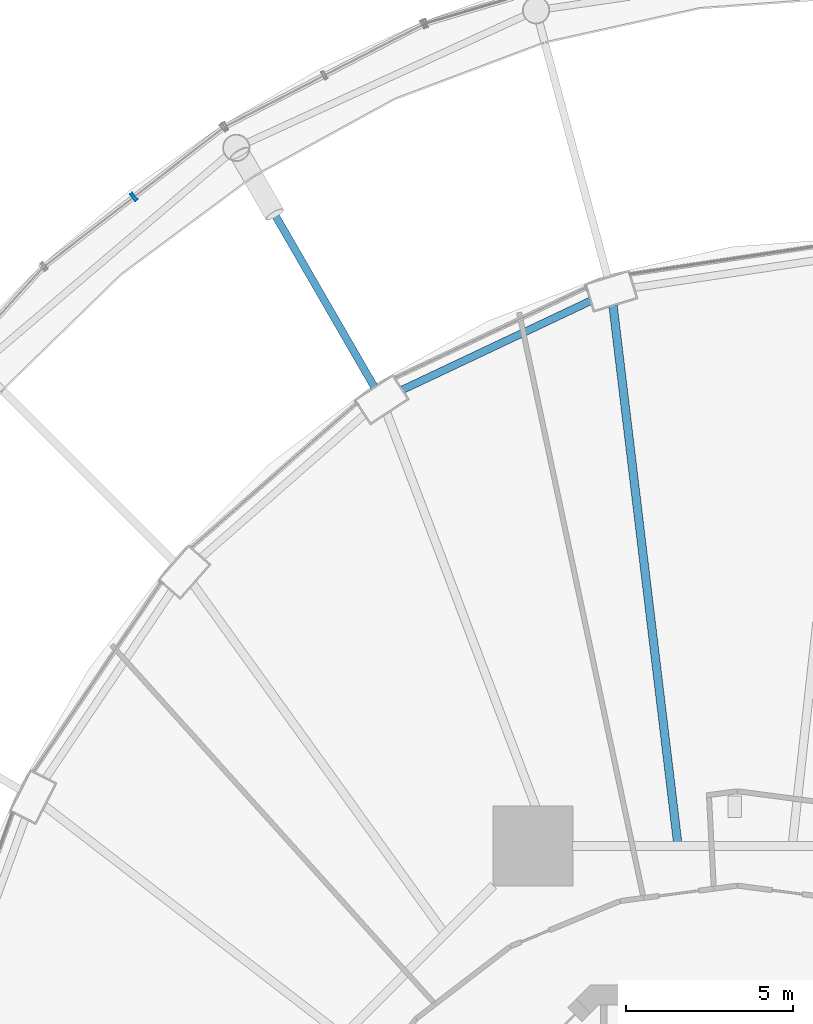
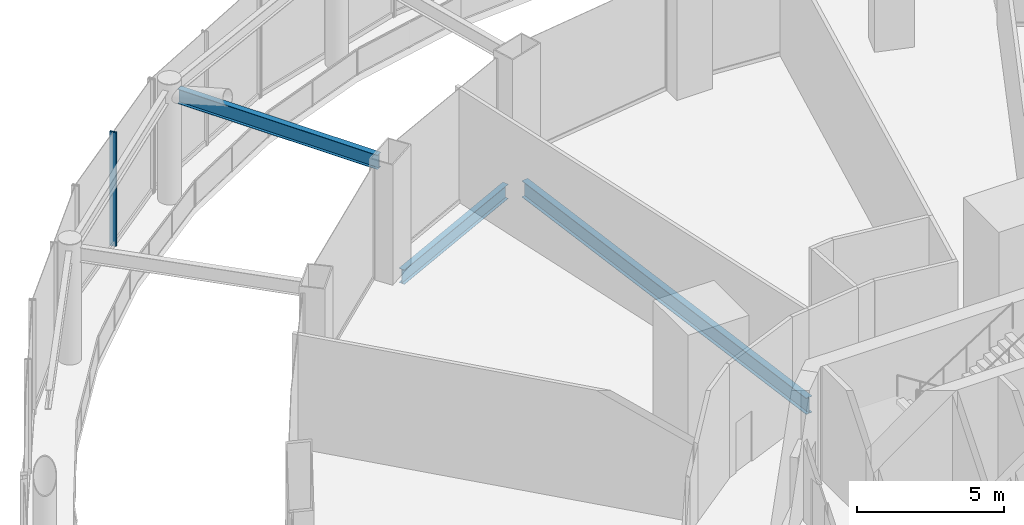
# One storey, part 32 of 52: 3 beams, 1 member, 1 element without a shape of its own.
"""IFC4 building model written with IfcOpenShell, lengths in metres."""

from ifc_helpers import new_model, si_unit, direction, frame, origin, origin_2d, place, context, subcontext, project, spatial, hollow_rectangle, i_section, extrude, material, layer, layer_set, material_profile, profile_set, type_object, element, aggregate, save


model = new_model("IFC4")

# Units and contexts
model_context = context("Model", 3, precision=1e-05, world=origin(), true_north=direction((0.0, 1.0)))
body_context = subcontext(model_context, "Body", "Model", "MODEL_VIEW")
ifc_project = project(units=[si_unit("LENGTHUNIT", "METRE"), si_unit("AREAUNIT", "SQUARE_METRE"), si_unit("VOLUMEUNIT", "CUBIC_METRE"), si_unit("PLANEANGLEUNIT", "RADIAN"), si_unit("MASSUNIT", "GRAM", prefix="KILO")], contexts=[model_context])

# Site, building, storey
site_placement = place(None, origin())
site = spatial("IfcSite", under=ifc_project, at=site_placement, CompositionType="ELEMENT")
building_placement = place(site_placement, origin())
building = spatial("IfcBuilding", under=site, at=building_placement, Name="Nagisa Residences", CompositionType="ELEMENT")
storey_placement = place(building_placement, frame((0.0, 0.0, 22.0)))
storey = spatial("IfcBuildingStorey", under=building, at=storey_placement, Name="L04", CompositionType="ELEMENT", Elevation=22.0)

# Beam
ifc_material_1 = material(Name="Steel ASTM A572 Gr 50", Category="steel")
ifc_material_profile_1 = material_profile(ifc_material_1, i_section(OverallWidth=0.22802734375, OverallDepth=0.60302734375, WebThickness=0.010498046875, FlangeThickness=0.014892578125, at=origin_2d()), Name="W610x101")
ifc_profile_set_1 = profile_set([ifc_material_profile_1], Name="Steel ASTM A572 Gr 50")
beam_type_1 = type_object("IfcBeamType", Name="Atrium roof beam W610x101", PredefinedType="BEAM", material=ifc_profile_set_1)
beam_1_placement = place(storey_placement, frame((-10.865478515625, 28.518798828125, 4.448486328125), z_axis=(-0.499979831865, 0.86603704755, 0.0), x_axis=(-0.86603704755, -0.499979831865, 0.0)))
element("IfcBeam", 1, at=beam_1_placement, inside=storey, type_object=beam_type_1, Name="beam:L04:rer09", PredefinedType="BEAM", context=body_context, shape_type="SweptSolid", body=[
    extrude(i_section(OverallWidth=0.22802734375, OverallDepth=0.60302734375, WebThickness=0.010498046875, FlangeThickness=0.014892578125, at=origin_2d()), origin(), (0.0, 0.0, 1.0), 7.882568359375),
])

# Curtain wall, member
ifc_material_2 = material(Name="Stainless steel curtain wall system", Category="steel")
ifc_layer = layer(ifc_material_2, 0.159912109375)
ifc_layer_set = layer_set([ifc_layer], Name="CW3 CURTAIN WALL")
curtain_wall_type = type_object("IfcCurtainWallType", Name="CW3 CURTAIN WALL", PredefinedType="NOTDEFINED", material=ifc_layer_set)
curtain_wall_placement = place(storey_placement, origin())
curtain_wall = element("IfcCurtainWall", 2, at=curtain_wall_placement, inside=storey, type_object=curtain_wall_type, Name="cw:CW3:L04:12", PredefinedType="NOTDEFINED")
ifc_material_3 = material(Name="Stainless steel", Category="steel")
ifc_material_profile_2 = material_profile(ifc_material_3, hollow_rectangle(XDim=0.25, YDim=0.080078125, WallThickness=0.008056640625, at=origin_2d()), Name="CW3 MULLION 250x80")
ifc_profile_set_2 = profile_set([ifc_material_profile_2], Name="Stainless steel")
member_type = type_object("IfcMemberType", Name="CW3 MULLION 250x80", PredefinedType="MULLION", material=ifc_profile_set_2)
member_placement = place(storey_placement, frame((-18.06396484375, 34.210205078125, 0.0), z_axis=(0.0, 0.0, 1.0), x_axis=(0.612034757172, -0.790830864353, 0.0)))
member = element("IfcMember", 3, at=member_placement, type_object=member_type, Name="CW3 mullion", PredefinedType="MULLION", context=body_context, shape_type="SweptSolid", body=[
    extrude(hollow_rectangle(XDim=0.25, YDim=0.080078125, WallThickness=0.008056640625, at=origin_2d()), origin(), (0.0, 0.0, 1.0), 4.739990234375),
])
aggregate(curtain_wall, [member])

# Beams
ifc_material_4 = material(Name="Steel ASTM A572 Gr 50", Category="steel")
ifc_material_profile_3 = material_profile(ifc_material_4, i_section(OverallWidth=0.22802734375, OverallDepth=0.60302734375, WebThickness=0.010498046875, FlangeThickness=0.014892578125, at=origin_2d()), Name="W610x101")
ifc_profile_set_3 = profile_set([ifc_material_profile_3], Name="Steel ASTM A572 Gr 50")
beam_type_2 = type_object("IfcBeamType", Name="Perimeter ring beam W610x101", PredefinedType="BEAM", material=ifc_profile_set_3)
beam_2_placement = place(storey_placement, frame((-4.39794921875, 31.098876953125, -0.6015625), z_axis=(-0.904208275867, -0.427091786216, 0.0), x_axis=(0.427091786216, -0.904208275867, 0.0)))
element("IfcBeam", 4, at=beam_2_placement, inside=storey, type_object=beam_type_2, Name="beam:L04:pb08", PredefinedType="BEAM", context=body_context, shape_type="SweptSolid", body=[
    extrude(i_section(OverallWidth=0.22802734375, OverallDepth=0.60302734375, WebThickness=0.010498046875, FlangeThickness=0.014892578125, at=origin_2d()), origin(), (0.0, 0.0, 1.0), 6.227294921875),
])
ifc_material_5 = material(Name="Steel ASTM A572 Gr 50", Category="steel")
ifc_material_profile_4 = material_profile(ifc_material_5, i_section(OverallWidth=0.25390625, OverallDepth=0.68408203125, WebThickness=0.012451171875, FlangeThickness=0.018798828125, at=origin_2d()), Name="W690x140")
ifc_profile_set_4 = profile_set([ifc_material_profile_4], Name="Steel ASTM A572 Gr 50")
beam_type_3 = type_object("IfcBeamType", Name="Radial beam W690x140", PredefinedType="BEAM", material=ifc_profile_set_4)
beam_3_placement = place(storey_placement, frame((-3.72412109375, 30.958740234375, -0.64208984375), z_axis=(0.119431411612, -0.992842453726, 0.0), x_axis=(0.992842453726, 0.119431411612, 0.0)))
element("IfcBeam", 5, at=beam_3_placement, inside=storey, type_object=beam_type_3, Name="beam:L04:rb08", PredefinedType="BEAM", context=body_context, shape_type="SweptSolid", body=[
    extrude(i_section(OverallWidth=0.25390625, OverallDepth=0.68408203125, WebThickness=0.012451171875, FlangeThickness=0.018798828125, at=origin_2d()), origin(), (0.0, 0.0, 1.0), 16.1796875),
])

save(model, "model.ifc")
